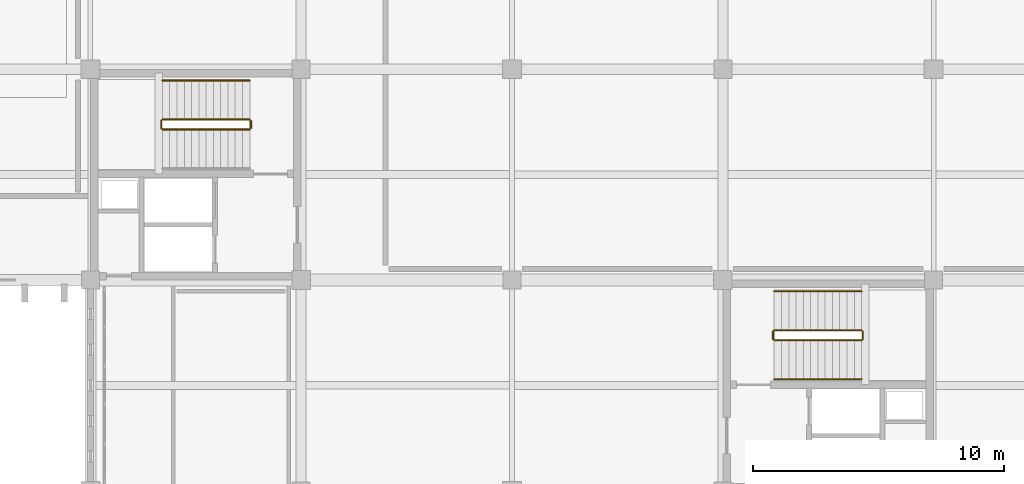
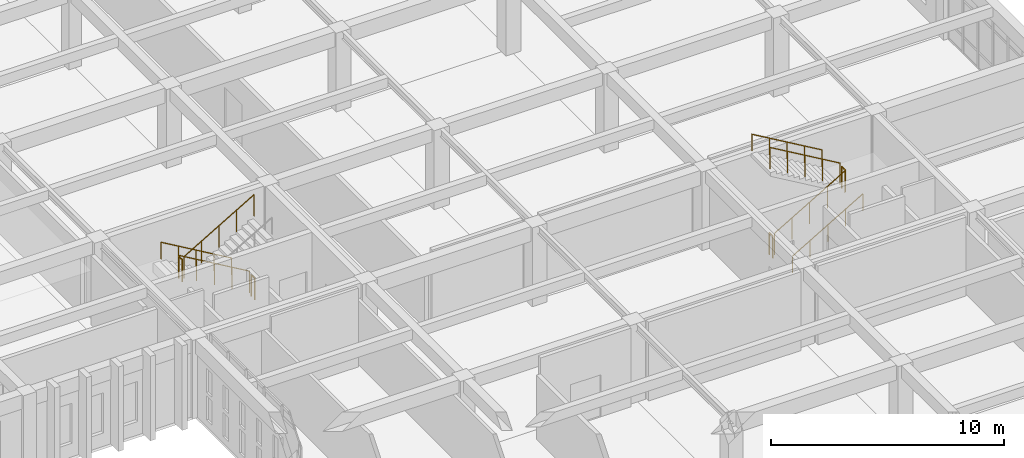
# One storey, part 192 of 192: 11 railings.
"""IFC4 building model written with IfcOpenShell, lengths in metres."""

from ifc_helpers import new_model, si_unit, direction, frame, origin, origin_2d, place, context, subcontext, project, spatial, circle, extrude, material, type_object, element, save


model = new_model("IFC4")

# Units and contexts
model_context = context("Model", 3, precision=1e-05, world=origin(), true_north=direction((0.0, 1.0)))
body_context = subcontext(model_context, "Body", "Model", "MODEL_VIEW")
ifc_project = project(units=[si_unit("LENGTHUNIT", "METRE"), si_unit("AREAUNIT", "SQUARE_METRE"), si_unit("VOLUMEUNIT", "CUBIC_METRE"), si_unit("PLANEANGLEUNIT", "RADIAN"), si_unit("MASSUNIT", "GRAM", prefix="KILO")], contexts=[model_context])

# Site, building, storey
site_placement = place(None, origin())
site = spatial("IfcSite", under=ifc_project, at=site_placement, CompositionType="ELEMENT")
building_placement = place(site_placement, origin())
building = spatial("IfcBuilding", under=site, at=building_placement, Name="Kveldsbrygga Polytechnic", CompositionType="ELEMENT")
storey_placement = place(building_placement, frame((0.0, 0.0, 5.43994140625)))
storey = spatial("IfcBuildingStorey", under=building, at=storey_placement, Name="L01", CompositionType="ELEMENT", Elevation=5.43994140625)

# Railings
ifc_material = material(Name="Steel S355", Category="steel")
railing_type_1 = type_object("IfcRailingType", Name="RL-STAIR-GRD", PredefinedType="GUARDRAIL", material=ifc_material)
railing_1_placement = place(storey_placement, frame((132.35009765625, 90.39990234375, 0.170166015625)))
element("IfcRailing", 1, at=railing_1_placement, inside=storey, type_object=railing_type_1, Name="L01 ST-2 stair guard 1", PredefinedType="GUARDRAIL", context=body_context, shape_type="SweptSolid", body=[
    extrude(circle(Radius=0.02392578125, at=origin_2d()), frame((0.0, 0.0, 1.1259765625), z_axis=(-0.862718911971, 0.0, 0.505683773644), x_axis=(0.0, -1.0, 0.0)), (0.0, 0.0, 1.0), 4.03369140625),
    extrude(circle(Radius=0.02099609375, at=origin_2d()), origin(), (0.0, 0.0, 1.0), 1.097900390625),
    extrude(circle(Radius=0.02099609375, at=origin_2d()), frame((-0.8701171875, 0.0, 0.510009765625)), (0.0, 0.0, 1.0), 1.097900390625),
    extrude(circle(Radius=0.02099609375, at=origin_2d()), frame((-1.739990234375, 0.0, 1.02001953125)), (0.0, 0.0, 1.0), 1.097900390625),
    extrude(circle(Radius=0.02099609375, at=origin_2d()), frame((-2.60986328125, 0.0, 1.52978515625)), (0.0, 0.0, 1.0), 1.097900390625),
    extrude(circle(Radius=0.02099609375, at=origin_2d()), frame((-3.47998046875, 0.0, 2.039794921875)), (0.0, 0.0, 1.0), 1.097900390625),
])
railing_2_placement = place(storey_placement, frame((128.820068359375, 90.35009765625, 2.2099609375)))
element("IfcRailing", 2, at=railing_2_placement, inside=storey, type_object=railing_type_1, Name="L01 ST-2 stair guard 2", PredefinedType="GUARDRAIL", context=body_context, shape_type="SweptSolid", body=[
    extrude(circle(Radius=0.02392578125, at=origin_2d()), frame((0.0, 0.0, 1.1259765625), z_axis=(0.0, -1.0, 0.0), x_axis=(1.0, 0.0, 0.0)), (0.0, 0.0, 1.0), 0.300048828125),
    extrude(circle(Radius=0.02099609375, at=origin_2d()), origin(), (0.0, 0.0, 1.0), 1.097900390625),
    extrude(circle(Radius=0.02099609375, at=origin_2d()), frame((0.0, -0.300048828125, 0.0)), (0.0, 0.0, 1.0), 1.097900390625),
])
railing_3_placement = place(storey_placement, frame((128.8701171875, 90.0, 2.380126953125)))
element("IfcRailing", 3, at=railing_3_placement, inside=storey, type_object=railing_type_1, Name="L01 ST-2 stair guard 3", PredefinedType="GUARDRAIL", context=body_context, shape_type="SweptSolid", body=[
    extrude(circle(Radius=0.02392578125, at=origin_2d()), frame((0.0, 0.0, 1.1259765625), z_axis=(0.862692506924, 0.0, 0.505728819128), x_axis=(0.0, 1.0, 0.0)), (0.0, 0.0, 1.0), 4.033935546875),
    extrude(circle(Radius=0.02099609375, at=origin_2d()), origin(), (0.0, 0.0, 1.0), 1.097900390625),
    extrude(circle(Radius=0.02099609375, at=origin_2d()), frame((0.8701171875, 0.0, 0.510009765625)), (0.0, 0.0, 1.0), 1.097900390625),
    extrude(circle(Radius=0.02099609375, at=origin_2d()), frame((1.739990234375, 0.0, 1.02001953125)), (0.0, 0.0, 1.0), 1.097900390625),
    extrude(circle(Radius=0.02099609375, at=origin_2d()), frame((2.60986328125, 0.0, 1.530029296875)), (0.0, 0.0, 1.0), 1.097900390625),
    extrude(circle(Radius=0.02099609375, at=origin_2d()), frame((3.47998046875, 0.0, 2.0400390625)), (0.0, 0.0, 1.0), 1.097900390625),
])
railing_4_placement = place(storey_placement, frame((132.39990234375, 90.35009765625, 0.0)))
element("IfcRailing", 4, at=railing_4_placement, inside=storey, type_object=railing_type_1, Name="L01 ST-2 stair guard 4", PredefinedType="GUARDRAIL", context=body_context, shape_type="SweptSolid", body=[
    extrude(circle(Radius=0.02392578125, at=origin_2d()), frame((0.0, 0.0, 1.1259765625), z_axis=(0.0, -1.0, 0.0), x_axis=(1.0, 0.0, 0.0)), (0.0, 0.0, 1.0), 0.300048828125),
    extrude(circle(Radius=0.02099609375, at=origin_2d()), origin(), (0.0, 0.0, 1.0), 1.097900390625),
    extrude(circle(Radius=0.02099609375, at=origin_2d()), frame((0.0, -0.300048828125, 0.0)), (0.0, 0.0, 1.0), 1.097900390625),
])
railing_5_placement = place(storey_placement, frame((153.25, 81.60009765625, 0.170166015625)))
element("IfcRailing", 5, at=railing_5_placement, inside=storey, type_object=railing_type_1, Name="L01 ST-4 stair guard 1", PredefinedType="GUARDRAIL", context=body_context, shape_type="SweptSolid", body=[
    extrude(circle(Radius=0.02392578125, at=origin_2d()), frame((0.0, 0.0, 1.1259765625), z_axis=(0.862718911971, 0.0, 0.505683773644), x_axis=(0.0, 1.0, 0.0)), (0.0, 0.0, 1.0), 4.03369140625),
    extrude(circle(Radius=0.02099609375, at=origin_2d()), origin(), (0.0, 0.0, 1.0), 1.097900390625),
    extrude(circle(Radius=0.02099609375, at=origin_2d()), frame((0.8701171875, 0.0, 0.510009765625)), (0.0, 0.0, 1.0), 1.097900390625),
    extrude(circle(Radius=0.02099609375, at=origin_2d()), frame((1.739990234375, 0.0, 1.02001953125)), (0.0, 0.0, 1.0), 1.097900390625),
    extrude(circle(Radius=0.02099609375, at=origin_2d()), frame((2.60986328125, 0.0, 1.52978515625)), (0.0, 0.0, 1.0), 1.097900390625),
    extrude(circle(Radius=0.02099609375, at=origin_2d()), frame((3.47998046875, 0.0, 2.039794921875)), (0.0, 0.0, 1.0), 1.097900390625),
])
railing_6_placement = place(storey_placement, frame((156.780029296875, 81.64990234375, 2.2099609375)))
element("IfcRailing", 6, at=railing_6_placement, inside=storey, type_object=railing_type_1, Name="L01 ST-4 stair guard 2", PredefinedType="GUARDRAIL", context=body_context, shape_type="SweptSolid", body=[
    extrude(circle(Radius=0.02392578125, at=origin_2d()), frame((0.0, 0.0, 1.1259765625), z_axis=(0.0, 1.0, 0.0), x_axis=(-1.0, 0.0, 0.0)), (0.0, 0.0, 1.0), 0.300048828125),
    extrude(circle(Radius=0.02099609375, at=origin_2d()), origin(), (0.0, 0.0, 1.0), 1.097900390625),
    extrude(circle(Radius=0.02099609375, at=origin_2d()), frame((0.0, 0.300048828125, 0.0)), (0.0, 0.0, 1.0), 1.097900390625),
])
railing_7_placement = place(storey_placement, frame((156.72998046875, 82.0, 2.380126953125)))
element("IfcRailing", 7, at=railing_7_placement, inside=storey, type_object=railing_type_1, Name="L01 ST-4 stair guard 3", PredefinedType="GUARDRAIL", context=body_context, shape_type="SweptSolid", body=[
    extrude(circle(Radius=0.02392578125, at=origin_2d()), frame((0.0, 0.0, 1.1259765625), z_axis=(-0.862692506924, 0.0, 0.505728819128), x_axis=(0.0, -1.0, 0.0)), (0.0, 0.0, 1.0), 4.033935546875),
    extrude(circle(Radius=0.02099609375, at=origin_2d()), origin(), (0.0, 0.0, 1.0), 1.097900390625),
    extrude(circle(Radius=0.02099609375, at=origin_2d()), frame((-0.8701171875, 0.0, 0.510009765625)), (0.0, 0.0, 1.0), 1.097900390625),
    extrude(circle(Radius=0.02099609375, at=origin_2d()), frame((-1.739990234375, 0.0, 1.02001953125)), (0.0, 0.0, 1.0), 1.097900390625),
    extrude(circle(Radius=0.02099609375, at=origin_2d()), frame((-2.60986328125, 0.0, 1.530029296875)), (0.0, 0.0, 1.0), 1.097900390625),
    extrude(circle(Radius=0.02099609375, at=origin_2d()), frame((-3.47998046875, 0.0, 2.0400390625)), (0.0, 0.0, 1.0), 1.097900390625),
])
railing_8_placement = place(storey_placement, frame((153.199951171875, 81.64990234375, 0.0)))
element("IfcRailing", 8, at=railing_8_placement, inside=storey, type_object=railing_type_1, Name="L01 ST-4 stair guard 4", PredefinedType="GUARDRAIL", context=body_context, shape_type="SweptSolid", body=[
    extrude(circle(Radius=0.02392578125, at=origin_2d()), frame((0.0, 0.0, 1.1259765625), z_axis=(0.0, 1.0, 0.0), x_axis=(-1.0, 0.0, 0.0)), (0.0, 0.0, 1.0), 0.300048828125),
    extrude(circle(Radius=0.02099609375, at=origin_2d()), origin(), (0.0, 0.0, 1.0), 1.097900390625),
    extrude(circle(Radius=0.02099609375, at=origin_2d()), frame((0.0, 0.300048828125, 0.0)), (0.0, 0.0, 1.0), 1.097900390625),
])
railing_type_2 = type_object("IfcRailingType", Name="RL-STAIR-HND", PredefinedType="HANDRAIL", material=ifc_material)
railing_9_placement = place(storey_placement, frame((132.35009765625, 91.949951171875, 0.170166015625)))
element("IfcRailing", 9, at=railing_9_placement, inside=storey, type_object=railing_type_2, Name="L01 ST-2 stair handrail 1", PredefinedType="HANDRAIL", context=body_context, shape_type="SweptSolid", body=[
    extrude(circle(Radius=0.02392578125, at=origin_2d()), frame((0.0, 0.0, 0.8759765625), z_axis=(-0.862718911971, 0.0, 0.505683773644), x_axis=(0.0, -1.0, 0.0)), (0.0, 0.0, 1.0), 4.03369140625),
    extrude(circle(Radius=0.02099609375, at=origin_2d()), origin(), (0.0, 0.0, 1.0), 0.847900390625),
    extrude(circle(Radius=0.02099609375, at=origin_2d()), frame((-0.8701171875, 0.0, 0.510009765625)), (0.0, 0.0, 1.0), 0.847900390625),
    extrude(circle(Radius=0.02099609375, at=origin_2d()), frame((-1.739990234375, 0.0, 1.02001953125)), (0.0, 0.0, 1.0), 0.847900390625),
    extrude(circle(Radius=0.02099609375, at=origin_2d()), frame((-2.60986328125, 0.0, 1.52978515625)), (0.0, 0.0, 1.0), 0.847900390625),
    extrude(circle(Radius=0.02099609375, at=origin_2d()), frame((-3.47998046875, 0.0, 2.039794921875)), (0.0, 0.0, 1.0), 0.847900390625),
])
railing_10_placement = place(storey_placement, frame((153.25, 80.050048828125, 0.170166015625)))
element("IfcRailing", 10, at=railing_10_placement, inside=storey, type_object=railing_type_2, Name="L01 ST-4 stair handrail 1", PredefinedType="HANDRAIL", context=body_context, shape_type="SweptSolid", body=[
    extrude(circle(Radius=0.02392578125, at=origin_2d()), frame((0.0, 0.0, 0.8759765625), z_axis=(0.862718911971, 0.0, 0.505683773644), x_axis=(0.0, 1.0, 0.0)), (0.0, 0.0, 1.0), 4.03369140625),
    extrude(circle(Radius=0.02099609375, at=origin_2d()), origin(), (0.0, 0.0, 1.0), 0.847900390625),
    extrude(circle(Radius=0.02099609375, at=origin_2d()), frame((0.8701171875, 0.0, 0.510009765625)), (0.0, 0.0, 1.0), 0.847900390625),
    extrude(circle(Radius=0.02099609375, at=origin_2d()), frame((1.739990234375, 0.0, 1.02001953125)), (0.0, 0.0, 1.0), 0.847900390625),
    extrude(circle(Radius=0.02099609375, at=origin_2d()), frame((2.60986328125, 0.0, 1.52978515625)), (0.0, 0.0, 1.0), 0.847900390625),
    extrude(circle(Radius=0.02099609375, at=origin_2d()), frame((3.47998046875, 0.0, 2.039794921875)), (0.0, 0.0, 1.0), 0.847900390625),
])
railing_11_placement = place(storey_placement, frame((156.72998046875, 83.550048828125, 2.380126953125)))
element("IfcRailing", 11, at=railing_11_placement, inside=storey, type_object=railing_type_2, Name="L01 ST-4 stair handrail 2", PredefinedType="HANDRAIL", context=body_context, shape_type="SweptSolid", body=[
    extrude(circle(Radius=0.02392578125, at=origin_2d()), frame((0.0, 0.0, 0.8759765625), z_axis=(-0.862692506924, 0.0, 0.505728819128), x_axis=(0.0, -1.0, 0.0)), (0.0, 0.0, 1.0), 4.033935546875),
    extrude(circle(Radius=0.02099609375, at=origin_2d()), origin(), (0.0, 0.0, 1.0), 0.847900390625),
    extrude(circle(Radius=0.02099609375, at=origin_2d()), frame((-0.8701171875, 0.0, 0.510009765625)), (0.0, 0.0, 1.0), 0.847900390625),
    extrude(circle(Radius=0.02099609375, at=origin_2d()), frame((-1.739990234375, 0.0, 1.02001953125)), (0.0, 0.0, 1.0), 0.847900390625),
    extrude(circle(Radius=0.02099609375, at=origin_2d()), frame((-2.60986328125, 0.0, 1.530029296875)), (0.0, 0.0, 1.0), 0.847900390625),
    extrude(circle(Radius=0.02099609375, at=origin_2d()), frame((-3.47998046875, 0.0, 2.0400390625)), (0.0, 0.0, 1.0), 0.847900390625),
])

save(model, "model.ifc")
